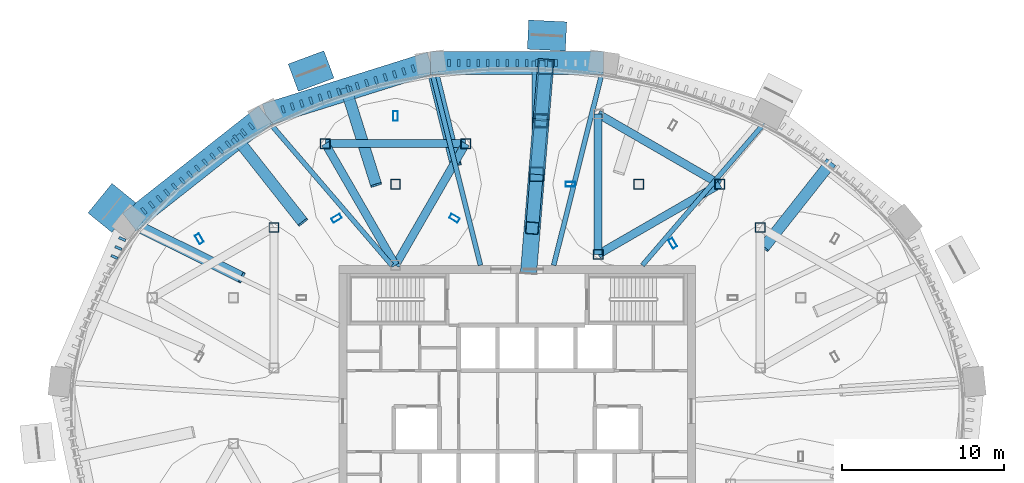
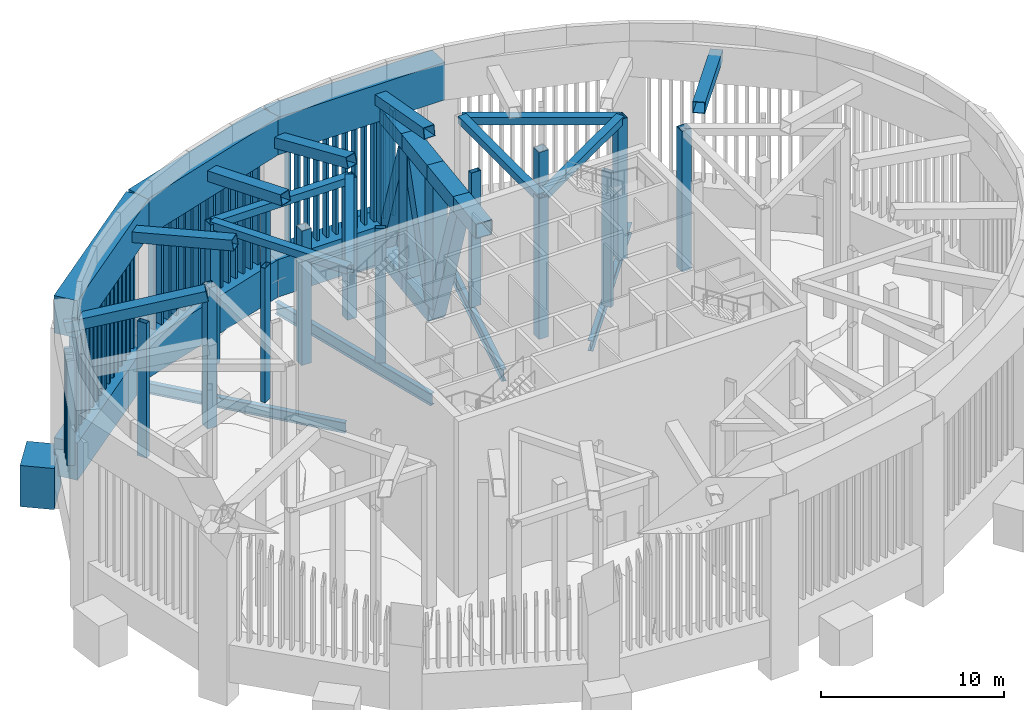
# One storey, part 4 of 14: 80 members, 16 beams.
"""IFC4 building model written with IfcOpenShell, lengths in metres."""

from ifc_helpers import new_model, si_unit, direction, frame, origin, origin_2d, place, context, subcontext, project, spatial, rectangle, hollow_rectangle, i_section, extrude, source, transform, mapped, material, material_profile, profile_set, type_object, element, save


model = new_model("IFC4")

# Units and contexts
model_context = context("Model", 3, precision=1e-05, world=origin(), true_north=direction((0.0, 1.0)))
body_context = subcontext(model_context, "Body", "Model", "MODEL_VIEW")
ifc_project = project(units=[si_unit("LENGTHUNIT", "METRE"), si_unit("AREAUNIT", "SQUARE_METRE"), si_unit("VOLUMEUNIT", "CUBIC_METRE"), si_unit("PLANEANGLEUNIT", "RADIAN"), si_unit("MASSUNIT", "GRAM", prefix="KILO")], contexts=[model_context])

# Site, building, storey
site_placement = place(None, origin())
site = spatial("IfcSite", under=ifc_project, at=site_placement, CompositionType="ELEMENT")
building_placement = place(site_placement, origin())
building = spatial("IfcBuilding", under=site, at=building_placement, Name="Embergate Tower", CompositionType="ELEMENT")
storey_placement = place(building_placement, frame((0.0, 0.0, 340.0)))
storey = spatial("IfcBuildingStorey", under=building, at=storey_placement, Name="L79", CompositionType="ELEMENT", Elevation=340.0)

# Beams
ifc_material_1 = material(Name="Steel Q355B", Category="steel")
ifc_material_profile_1 = material_profile(ifc_material_1, i_section(OverallWidth=0.300048828125, OverallDepth=0.699951171875, WebThickness=0.012939453125, FlangeThickness=0.02392578125, FilletRadius=0.01806640625, at=origin_2d()), Name="HN 700x300x13x24")
ifc_profile_set_1 = profile_set([ifc_material_profile_1], Name="Steel Q355 grade B")
beam_type_1 = type_object("IfcBeamType", Name="Plant girder HN 700x300x13x24", PredefinedType="BEAM", material=ifc_profile_set_1)
shared_shape_1 = source(origin(), body_context, "Body", "SweptSolid", [
    extrude(i_section(OverallWidth=0.300048828125, OverallDepth=0.699951171875, WebThickness=0.012939453125, FlangeThickness=0.02392578125, FilletRadius=0.01806640625, at=origin_2d()), origin(), (0.0, 0.0, 1.0), 11.52734375),
])
for number, where, z_axis, x_axis, name in (
    (1, (15.238037109375, 17.7451171875, -0.64990234375), (-0.651500974238, -0.758647797445, 0.0), (0.758647797445, -0.651500974238, 0.0), "GIR-L79-06"),
    (2, (-15.238037109375, 17.7451171875, -0.64990234375), (0.651500974238, -0.758647797445, 0.0), (0.758647797445, 0.651500974238, 0.0), "GIR-L79-15"),
):
    element("IfcBeam", number, at=place(storey_placement, frame(where, z_axis=z_axis, x_axis=x_axis)), inside=storey, type_object=beam_type_1, Name=name, PredefinedType="BEAM", context=body_context, shape_type="MappedRepresentation", body=[
        mapped(shared_shape_1, transform((0.0, 0.0, 0.0))),
    ])
ifc_material_profile_2 = material_profile(ifc_material_1, i_section(OverallWidth=0.300048828125, OverallDepth=0.800048828125, WebThickness=0.013916015625, FlangeThickness=0.02587890625, FilletRadius=0.028076171875, at=origin_2d()), Name="HN 800x300x14x26")
ifc_profile_set_2 = profile_set([ifc_material_profile_2], Name="Steel Q355 grade B")
beam_type_2 = type_object("IfcBeamType", Name="Plant girder HN 800x300x14x26", PredefinedType="BEAM", material=ifc_profile_set_2)
shared_shape_2 = source(origin(), body_context, "Body", "SweptSolid", [
    extrude(i_section(OverallWidth=0.300048828125, OverallDepth=0.800048828125, WebThickness=0.013916015625, FlangeThickness=0.02587890625, FilletRadius=0.028076171875, at=origin_2d()), origin(), (0.0, 0.0, 1.0), 12.248291015625),
])
for number, where, z_axis, x_axis, name in (
    (3, (5.240966796875, 20.8798828125, -0.699951171875), (-0.243454753133, -0.969912255401, 0.0), (0.969912255401, -0.243454753133, 0.0), "GIR-L79-09"),
    (4, (-5.240966796875, 20.8798828125, -0.699951171875), (0.243454753133, -0.969912255401, 0.0), (0.969912255401, 0.243454753133, 0.0), "GIR-L79-12"),
):
    element("IfcBeam", number, at=place(storey_placement, frame(where, z_axis=z_axis, x_axis=x_axis)), inside=storey, type_object=beam_type_2, Name=name, PredefinedType="BEAM", context=body_context, shape_type="MappedRepresentation", body=[
        mapped(shared_shape_2, transform((0.0, 0.0, 0.0))),
    ])

# Members
ifc_material_2 = material(Name="Steel Q355D", Category="steel")
ifc_material_profile_3 = material_profile(ifc_material_2, hollow_rectangle(XDim=1.0, YDim=1.0, WallThickness=0.050048828125, at=origin_2d()), Name="BOX 1000x1000x50")
ifc_profile_set_3 = profile_set([ifc_material_profile_3], Name="Steel Q355 grade D")
member_type_1 = type_object("IfcMemberType", Name="Outrigger chord BOX 1000x1000x50", PredefinedType="CHORD", material=ifc_profile_set_3)
shared_shape_3 = source(origin(), body_context, "Body", "SweptSolid", [
    extrude(hollow_rectangle(XDim=1.0, YDim=1.0, WallThickness=0.050048828125, at=origin_2d()), origin(), (0.0, 0.0, 1.0), 2.89990234375),
])
member_1_placement = place(storey_placement, frame((0.701904296875, 8.501953125, 9.89990234375), z_axis=(0.082418420379, 0.996597814558, 0.0), x_axis=(-0.996597814558, 0.082418420379, 0.0)))
element("IfcMember", 5, at=member_1_placement, inside=storey, type_object=member_type_1, Name="OUT-L79-10-TC00", PredefinedType="CHORD", context=body_context, shape_type="MappedRepresentation", body=[
    mapped(shared_shape_3, transform((0.0, 0.0, 0.0))),
])
shared_shape_4 = source(origin(), body_context, "Body", "SweptSolid", [
    extrude(hollow_rectangle(XDim=1.0, YDim=1.0, WallThickness=0.050048828125, at=origin_2d()), origin(), (0.0, 0.0, 1.0), 3.421630859375),
])
for number, where, z_axis, x_axis, name in (
    (6, (0.931884765625, 11.2919921875, 9.89990234375), (0.082484481675, 0.996592349099, 0.0), (-0.996592349099, 0.082484481675, 0.0), "OUT-L79-10-TC01"),
    (7, (1.2060546875, 14.60205078125, 9.89990234375), (0.082413613158, 0.996598212103, 0.0), (-0.996598212103, 0.082413613158, 0.0), "OUT-L79-10-TC02"),
    (8, (1.2060546875, 14.60205078125, 0.5), (0.082413613158, 0.996598212103, 0.0), (-0.996598212103, 0.082413613158, 0.0), "OUT-L79-10-BC01"),
):
    element("IfcMember", number, at=place(storey_placement, frame(where, z_axis=z_axis, x_axis=x_axis)), inside=storey, type_object=member_type_1, Name=name, PredefinedType="CHORD", context=body_context, shape_type="MappedRepresentation", body=[
        mapped(shared_shape_4, transform((0.0, 0.0, 0.0))),
    ])
shared_shape_5 = source(origin(), body_context, "Body", "SweptSolid", [
    extrude(hollow_rectangle(XDim=1.0, YDim=1.0, WallThickness=0.050048828125, at=origin_2d()), origin(), (0.0, 0.0, 1.0), 3.82080078125),
])
for number, where, z_axis, x_axis, name in (
    (9, (1.47900390625, 17.9130859375, 9.89990234375), (0.082426767344, 0.996597124231, 0.0), (-0.996597124231, 0.082426767344, 0.0), "OUT-L79-10-TC03"),
    (10, (1.47900390625, 17.9130859375, 0.5), (0.082426767344, 0.996597124231, 0.0), (-0.996597124231, 0.082426767344, 0.0), "OUT-L79-10-BC02"),
):
    element("IfcMember", number, at=place(storey_placement, frame(where, z_axis=z_axis, x_axis=x_axis)), inside=storey, type_object=member_type_1, Name=name, PredefinedType="CHORD", context=body_context, shape_type="MappedRepresentation", body=[
        mapped(shared_shape_5, transform((0.0, 0.0, 0.0))),
    ])
ifc_material_profile_4 = material_profile(ifc_material_2, hollow_rectangle(XDim=0.89990234375, YDim=0.89990234375, WallThickness=0.044921875, at=origin_2d()), Name="BOX 900x900x45")
ifc_profile_set_4 = profile_set([ifc_material_profile_4], Name="Steel Q355 grade D")
member_type_2 = type_object("IfcMemberType", Name="Outrigger post BOX 900x900x45", PredefinedType="POST", material=ifc_profile_set_4)
shared_shape_6 = source(origin(), body_context, "Body", "SweptSolid", [
    extrude(hollow_rectangle(XDim=0.89990234375, YDim=0.89990234375, WallThickness=0.044921875, at=origin_2d()), origin(), (0.0, 0.0, 1.0), 9.39990234375),
])
member_2_placement = place(storey_placement, frame((1.7529296875, 21.222900390625, 0.5), z_axis=(0.0, 0.0, 1.0), x_axis=(1.0, 0.0, 0.0)))
element("IfcMember", 11, at=member_2_placement, inside=storey, type_object=member_type_2, Name="OUT-L79-10-PO03", PredefinedType="POST", context=body_context, shape_type="MappedRepresentation", body=[
    mapped(shared_shape_6, transform((0.0, 0.0, 0.0))),
])
shared_shape_7 = source(origin(), body_context, "Body", "SweptSolid", [
    extrude(hollow_rectangle(XDim=0.89990234375, YDim=0.89990234375, WallThickness=0.044921875, at=origin_2d()), origin(), (0.0, 0.0, 1.0), 8.39990234375),
])
for number, where, z_axis, x_axis, name in (
    (12, (1.2060546875, 14.60205078125, 1.0), (0.0, 0.0, 1.0), (1.0, 0.0, 0.0), "OUT-L79-10-HG01"),
    (13, (1.47900390625, 17.9130859375, 1.0), (0.0, 0.0, 1.0), (1.0, 0.0, 0.0), "OUT-L79-10-HG02"),
):
    element("IfcMember", number, at=place(storey_placement, frame(where, z_axis=z_axis, x_axis=x_axis)), inside=storey, type_object=member_type_2, Name=name, PredefinedType="POST", context=body_context, shape_type="MappedRepresentation", body=[
        mapped(shared_shape_7, transform((0.0, 0.0, 0.0))),
    ])
ifc_material_profile_5 = material_profile(ifc_material_2, hollow_rectangle(XDim=0.800048828125, YDim=0.800048828125, WallThickness=0.0400390625, at=origin_2d()), Name="BOX 800x800x40")
ifc_profile_set_5 = profile_set([ifc_material_profile_5], Name="Steel Q355 grade D")
member_type_3 = type_object("IfcMemberType", Name="Outrigger diagonal BOX 800x800x40", PredefinedType="BRACE", material=ifc_profile_set_5)
shared_shape_8 = source(origin(), body_context, "Body", "SweptSolid", [
    extrude(hollow_rectangle(XDim=0.800048828125, YDim=0.800048828125, WallThickness=0.0400390625, at=origin_2d()), origin(), (0.0, 0.0, 1.0), 9.969482421875),
])
member_3_placement = place(storey_placement, frame((0.931884765625, 11.2919921875, 9.89990234375), z_axis=(0.027501023288, 0.332020368419, -0.942871236529), x_axis=(-0.996587202014, 0.082546646103, 0.0)))
element("IfcMember", 14, at=member_3_placement, inside=storey, type_object=member_type_3, Name="OUT-L79-10-DG00", PredefinedType="BRACE", context=body_context, shape_type="MappedRepresentation", body=[
    mapped(shared_shape_8, transform((0.0, 0.0, 0.0))),
])
shared_shape_9 = source(origin(), body_context, "Body", "SweptSolid", [
    extrude(hollow_rectangle(XDim=0.800048828125, YDim=0.800048828125, WallThickness=0.0400390625, at=origin_2d()), origin(), (0.0, 0.0, 1.0), 9.9697265625),
])
member_4_placement = place(storey_placement, frame((1.2060546875, 14.60205078125, 0.5), z_axis=(0.02737778029, 0.332108637112, 0.942843735887), x_axis=(-0.996619355646, 0.082157531309, 0.0)))
element("IfcMember", 15, at=member_4_placement, inside=storey, type_object=member_type_3, Name="OUT-L79-10-DG01", PredefinedType="BRACE", context=body_context, shape_type="MappedRepresentation", body=[
    mapped(shared_shape_9, transform((0.0, 0.0, 0.0))),
])
shared_shape_10 = source(origin(), body_context, "Body", "SweptSolid", [
    extrude(hollow_rectangle(XDim=0.800048828125, YDim=0.800048828125, WallThickness=0.0400390625, at=origin_2d()), origin(), (0.0, 0.0, 1.0), 9.96923828125),
])
member_5_placement = place(storey_placement, frame((1.47900390625, 17.9130859375, 9.89990234375), z_axis=(0.027476776296, 0.331998802353, -0.942879537375), x_axis=(-0.996592746264, 0.082479682917, 0.0)))
element("IfcMember", 16, at=member_5_placement, inside=storey, type_object=member_type_3, Name="OUT-L79-10-DG02", PredefinedType="BRACE", context=body_context, shape_type="MappedRepresentation", body=[
    mapped(shared_shape_10, transform((0.0, 0.0, 0.0))),
])
ifc_material_3 = material(Name="Concrete C70", Category="concrete")
ifc_material_profile_6 = material_profile(ifc_material_3, rectangle(XDim=1.89990234375, YDim=2.35009765625, at=origin_2d()), Name="RC 1900x2350")
ifc_profile_set_6 = profile_set([ifc_material_profile_6], Name="Concrete C70")
member_type_4 = type_object("IfcMemberType", Name="Lattice node block RC 1900x2350", PredefinedType="POST", material=ifc_profile_set_6)
shared_shape_11 = source(origin(), body_context, "Body", "SweptSolid", [
    extrude(rectangle(XDim=1.89990234375, YDim=2.35009765625, at=origin_2d()), origin(), (0.0, 0.0, 1.0), 2.75),
])
member_6_placement = place(storey_placement, frame((-24.990966796875, 12.5380859375, -1.375), z_axis=(0.0, 0.0, 1.0), x_axis=(-0.775914301615, 0.630838328377, 0.0)))
element("IfcMember", 17, at=member_6_placement, inside=storey, type_object=member_type_4, Name="NOD-L79-18", PredefinedType="POST", context=body_context, shape_type="MappedRepresentation", body=[
    mapped(shared_shape_11, transform((0.0, 0.0, 0.0))),
])
ifc_material_profile_7 = material_profile(ifc_material_3, rectangle(XDim=1.800048828125, YDim=2.35009765625, at=origin_2d()), Name="RC 1800x2350")
ifc_profile_set_7 = profile_set([ifc_material_profile_7], Name="Concrete C70")
member_type_5 = type_object("IfcMemberType", Name="Lattice node block RC 1800x2350", PredefinedType="POST", material=ifc_profile_set_7)
shared_shape_12 = source(origin(), body_context, "Body", "SweptSolid", [
    extrude(rectangle(XDim=1.800048828125, YDim=2.35009765625, at=origin_2d()), origin(), (0.0, 0.0, 1.0), 2.75),
])
for number, where, z_axis, x_axis, name in (
    (18, (1.847900390625, 23.1708984375, -1.375), (0.0, 0.0, 1.0), (0.048814904854, 0.998807841912, 0.0), "NOD-L79-10"),
    (19, (-12.705078125, 20.97607421875, -1.375), (0.0, 0.0, 1.0), (-0.348343015724, 0.93736713373, 0.0), "NOD-L79-14"),
):
    element("IfcMember", number, at=place(storey_placement, frame(where, z_axis=z_axis, x_axis=x_axis)), inside=storey, type_object=member_type_5, Name=name, PredefinedType="POST", context=body_context, shape_type="MappedRepresentation", body=[
        mapped(shared_shape_12, transform((0.0, 0.0, 0.0))),
    ])
ifc_material_profile_8 = material_profile(ifc_material_2, hollow_rectangle(XDim=0.699951171875, YDim=0.699951171875, WallThickness=0.031982421875, at=origin_2d()), Name="BOX 700x700x32")
ifc_profile_set_8 = profile_set([ifc_material_profile_8], Name="Steel Q355 grade D")
member_type_6 = type_object("IfcMemberType", Name="Glass point bearing strut BOX 700x700x32", PredefinedType="STRUT", material=ifc_profile_set_8)
shared_shape_13 = source(origin(), body_context, "Body", "SweptSolid", [
    extrude(hollow_rectangle(XDim=0.699951171875, YDim=0.699951171875, WallThickness=0.031982421875, at=origin_2d()), origin(), (0.0, 0.0, 1.0), 6.757568359375),
])
member_7_placement = place(storey_placement, frame((19.342041015625, 15.318115234375, 10.89990234375), z_axis=(-0.611188324933, -0.774562067638, 0.16279568435), x_axis=(0.78503458432, -0.619451936328, 0.0)))
element("IfcMember", 20, at=member_7_placement, inside=storey, type_object=member_type_6, Name="CRN-L79-BS02", PredefinedType="STRUT", context=body_context, shape_type="MappedRepresentation", body=[
    mapped(shared_shape_13, transform((0.0, 0.0, 0.0))),
])
shared_shape_14 = source(origin(), body_context, "Body", "SweptSolid", [
    extrude(hollow_rectangle(XDim=0.699951171875, YDim=0.699951171875, WallThickness=0.031982421875, at=origin_2d()), origin(), (0.0, 0.0, 1.0), 6.1689453125),
])
member_8_placement = place(storey_placement, frame((1.26611328125, 21.52294921875, 10.89990234375), z_axis=(0.0, -0.983971066141, 0.178328183406), x_axis=(1.0, 0.0, 0.0)))
element("IfcMember", 21, at=member_8_placement, inside=storey, type_object=member_type_6, Name="CRN-L79-BS05", PredefinedType="STRUT", context=body_context, shape_type="MappedRepresentation", body=[
    mapped(shared_shape_14, transform((0.0, 0.0, 0.0))),
])
shared_shape_15 = source(origin(), body_context, "Body", "SweptSolid", [
    extrude(hollow_rectangle(XDim=0.699951171875, YDim=0.699951171875, WallThickness=0.031982421875, at=origin_2d()), origin(), (0.0, 0.0, 1.0), 6.736572265625),
])
member_9_placement = place(storey_placement, frame((-5.3369140625, 21.52294921875, 10.25), z_axis=(0.230062191278, -0.937862222101, 0.259780369736), x_axis=(0.971205928925, 0.238241565686, 0.0)))
element("IfcMember", 22, at=member_9_placement, inside=storey, type_object=member_type_6, Name="CRN-L79-BS06", PredefinedType="STRUT", context=body_context, shape_type="MappedRepresentation", body=[
    mapped(shared_shape_15, transform((0.0, 0.0, 0.0))),
])
shared_shape_16 = source(origin(), body_context, "Body", "SweptSolid", [
    extrude(hollow_rectangle(XDim=0.699951171875, YDim=0.699951171875, WallThickness=0.031982421875, at=origin_2d()), origin(), (0.0, 0.0, 1.0), 6.31494140625),
])
member_10_placement = place(storey_placement, frame((-10.553955078125, 19.885986328125, 10.89990234375), z_axis=(0.294863111747, -0.939525808533, 0.174203904751), x_axis=(0.954114600858, 0.299441694541, 0.0)))
element("IfcMember", 23, at=member_10_placement, inside=storey, type_object=member_type_6, Name="CRN-L79-BS07", PredefinedType="STRUT", context=body_context, shape_type="MappedRepresentation", body=[
    mapped(shared_shape_16, transform((0.0, 0.0, 0.0))),
])
shared_shape_17 = source(origin(), body_context, "Body", "SweptSolid", [
    extrude(hollow_rectangle(XDim=0.699951171875, YDim=0.699951171875, WallThickness=0.031982421875, at=origin_2d()), origin(), (0.0, 0.0, 1.0), 6.77001953125),
])
member_11_placement = place(storey_placement, frame((-17.344970703125, 16.89306640625, 10.89990234375), z_axis=(0.611211261556, -0.77460722746, 0.162494421179), x_axis=(0.785040842334, 0.619444005434, 0.0)))
element("IfcMember", 24, at=member_11_placement, inside=storey, type_object=member_type_6, Name="CRN-L79-BS08", PredefinedType="STRUT", context=body_context, shape_type="MappedRepresentation", body=[
    mapped(shared_shape_17, transform((0.0, 0.0, 0.0))),
])
shared_shape_18 = source(origin(), body_context, "Body", "SweptSolid", [
    extrude(hollow_rectangle(XDim=0.699951171875, YDim=0.699951171875, WallThickness=0.031982421875, at=origin_2d()), origin(), (0.0, 0.0, 1.0), 7.97265625),
])
member_12_placement = place(storey_placement, frame((-23.944091796875, 11.68603515625, 10.25), z_axis=(0.874637881808, -0.432235617314, 0.219501587312), x_axis=(0.443040423908, 0.896501635683, 0.0)))
element("IfcMember", 25, at=member_12_placement, inside=storey, type_object=member_type_6, Name="CRN-L79-BS09", PredefinedType="STRUT", context=body_context, shape_type="MappedRepresentation", body=[
    mapped(shared_shape_18, transform((0.0, 0.0, 0.0))),
])
ifc_material_profile_9 = material_profile(ifc_material_2, hollow_rectangle(XDim=0.60009765625, YDim=0.60009765625, WallThickness=0.028076171875, at=origin_2d()), Name="BOX 600x600x28")
ifc_profile_set_9 = profile_set([ifc_material_profile_9], Name="Steel Q355 grade D")
member_type_7 = type_object("IfcMemberType", Name="Turbine frame post BOX 600x600x28", PredefinedType="POST", material=ifc_profile_set_9)
shared_shape_19 = source(origin(), body_context, "Body", "SweptSolid", [
    extrude(hollow_rectangle(XDim=0.60009765625, YDim=0.60009765625, WallThickness=0.028076171875, at=origin_2d()), origin(), (0.0, 0.0, 1.0), 9.39990234375),
])
for number, where, z_axis, x_axis, name in (
    (26, (15.0, 11.330078125, 0.60009765625), (0.0, 0.0, 1.0), (1.0, 0.0, 0.0), "TUR-L79-PS011"),
    (27, (-15.0, 11.330078125, 0.60009765625), (0.0, 0.0, 1.0), (1.0, 0.0, 0.0), "TUR-L79-PS033"),
    (28, (5.0, 9.669921875, 0.60009765625), (0.0, 0.0, 1.0), (1.0, 0.0, 0.0), "TUR-L79-PS051"),
    (29, (12.5, 14.0, 0.60009765625), (0.0, 0.0, 1.0), (1.0, 0.0, 0.0), "TUR-L79-PS052"),
    (30, (-3.169921875, 16.5, 0.60009765625), (0.0, 0.0, 1.0), (1.0, 0.0, 0.0), "TUR-L79-PS062"),
    (31, (-11.830078125, 16.5, 0.60009765625), (0.0, 0.0, 1.0), (1.0, 0.0, 0.0), "TUR-L79-PS063"),
):
    element("IfcMember", number, at=place(storey_placement, frame(where, z_axis=z_axis, x_axis=x_axis)), inside=storey, type_object=member_type_7, Name=name, PredefinedType="POST", context=body_context, shape_type="MappedRepresentation", body=[
        mapped(shared_shape_19, transform((0.0, 0.0, 0.0))),
    ])

# Beams
ifc_material_profile_10 = material_profile(ifc_material_2, hollow_rectangle(XDim=0.5, YDim=0.5, WallThickness=0.02490234375, at=origin_2d()), Name="BOX 500x500x25")
ifc_profile_set_10 = profile_set([ifc_material_profile_10], Name="Steel Q355 grade D")
beam_type_3 = type_object("IfcBeamType", Name="Turbine frame head beam BOX 500x500x25", PredefinedType="BEAM", material=ifc_profile_set_10)
shared_shape_20 = source(origin(), body_context, "Body", "SweptSolid", [
    extrude(hollow_rectangle(XDim=0.5, YDim=0.5, WallThickness=0.02490234375, at=origin_2d()), origin(), (0.0, 0.0, 1.0), 8.66015625),
])
for number, where, z_axis, x_axis, name in (
    (32, (5.0, 9.669921875, 9.85009765625), (0.866027848477, 0.499995765644, 0.0), (-0.499995765644, 0.866027848477, 0.0), "TUR-L79-HB051"),
    (33, (12.5, 14.0, 9.85009765625), (-0.866027848477, 0.499995765644, 0.0), (-0.499995765644, -0.866027848477, 0.0), "TUR-L79-HB052"),
    (34, (5.0, 18.330078125, 9.85009765625), (0.0, -1.0, 0.0), (1.0, 0.0, 0.0), "TUR-L79-HB053"),
    (35, (-7.5, 9.0, 9.85009765625), (0.499995765644, 0.866027848477, 0.0), (-0.866027848477, 0.499995765644, 0.0), "TUR-L79-HB061"),
    (36, (-3.169921875, 16.5, 9.85009765625), (-1.0, 0.0, 0.0), (0.0, -1.0, 0.0), "TUR-L79-HB062"),
    (37, (-11.830078125, 16.5, 9.85009765625), (0.499995765644, -0.866027848477, 0.0), (0.866027848477, 0.499995765644, 0.0), "TUR-L79-HB063"),
):
    element("IfcBeam", number, at=place(storey_placement, frame(where, z_axis=z_axis, x_axis=x_axis)), inside=storey, type_object=beam_type_3, Name=name, PredefinedType="BEAM", context=body_context, shape_type="MappedRepresentation", body=[
        mapped(shared_shape_20, transform((0.0, 0.0, 0.0))),
    ])

# Members
ifc_material_profile_11 = material_profile(ifc_material_2, hollow_rectangle(XDim=0.60009765625, YDim=0.60009765625, WallThickness=0.028076171875, at=origin_2d()), Name="BOX 600x600x28")
ifc_profile_set_11 = profile_set([ifc_material_profile_11], Name="Steel Q355 grade D")
member_type_8 = type_object("IfcMemberType", Name="Turbine rotor shaft BOX 600x600x28", PredefinedType="POST", material=ifc_profile_set_11)
shared_shape_21 = source(origin(), body_context, "Body", "SweptSolid", [
    extrude(hollow_rectangle(XDim=0.60009765625, YDim=0.60009765625, WallThickness=0.028076171875, at=origin_2d()), origin(), (0.0, 0.0, 1.0), 9.0),
])
for number, where, z_axis, x_axis, name in (
    (38, (7.5, 14.0, 0.60009765625), (0.0, 0.0, 1.0), (1.0, 0.0, 0.0), "TUR-L79-SH05"),
    (39, (-7.5, 14.0, 0.60009765625), (0.0, 0.0, 1.0), (1.0, 0.0, 0.0), "TUR-L79-SH06"),
):
    element("IfcMember", number, at=place(storey_placement, frame(where, z_axis=z_axis, x_axis=x_axis)), inside=storey, type_object=member_type_8, Name=name, PredefinedType="POST", context=body_context, shape_type="MappedRepresentation", body=[
        mapped(shared_shape_21, transform((0.0, 0.0, 0.0))),
    ])
ifc_material_profile_12 = material_profile(ifc_material_2, hollow_rectangle(XDim=0.300048828125, YDim=0.60009765625, WallThickness=0.01611328125, at=origin_2d()), Name="BOX 600x300x16")
ifc_profile_set_12 = profile_set([ifc_material_profile_12], Name="Steel Q355 grade D")
member_type_9 = type_object("IfcMemberType", Name="Turbine rotor blade BOX 600x300x16", PredefinedType="POST", material=ifc_profile_set_12)
shared_shape_22 = source(origin(), body_context, "Body", "SweptSolid", [
    extrude(hollow_rectangle(XDim=0.300048828125, YDim=0.60009765625, WallThickness=0.01611328125, at=origin_2d()), origin(), (0.0, 0.0, 1.0), 9.0),
])
for number, where, z_axis, x_axis, name in (
    (40, (-19.60009765625, 10.636962890625, 0.60009765625), (0.0, 0.0, 1.0), (-0.866025403784, -0.5, 0.0), "TUR-L79-BL031"),
    (41, (3.300048828125, 14.0, 0.60009765625), (0.0, 0.0, 1.0), (0.0, -1.0, 0.0), "TUR-L79-BL051"),
    (42, (9.60009765625, 10.363037109375, 0.60009765625), (0.0, 0.0, 1.0), (0.866025403784, 0.5, 0.0), "TUR-L79-BL052"),
    (43, (-11.136962890625, 11.89990234375, 0.60009765625), (0.0, 0.0, 1.0), (0.5, -0.866025403784, 0.0), "TUR-L79-BL061"),
    (44, (-3.863037109375, 11.89990234375, 0.60009765625), (0.0, 0.0, 1.0), (0.5, 0.866025403784, 0.0), "TUR-L79-BL062"),
    (45, (-7.5, 18.199951171875, 0.60009765625), (0.0, 0.0, 1.0), (-1.0, 0.0, 0.0), "TUR-L79-BL063"),
):
    element("IfcMember", number, at=place(storey_placement, frame(where, z_axis=z_axis, x_axis=x_axis)), inside=storey, type_object=member_type_9, Name=name, PredefinedType="POST", context=body_context, shape_type="MappedRepresentation", body=[
        mapped(shared_shape_22, transform((0.0, 0.0, 0.0))),
    ])

# Beams
ifc_material_4 = material(Name="Concrete C50", Category="concrete")
ifc_material_profile_13 = material_profile(ifc_material_4, rectangle(XDim=1.39990234375, YDim=2.5, at=origin_2d()), Name="RC 1400x2500")
ifc_profile_set_13 = profile_set([ifc_material_profile_13], Name="Concrete C50")
beam_type_4 = type_object("IfcBeamType", Name="Slot ring beam RC 1400x2500", PredefinedType="BEAM", material=ifc_profile_set_13)
shared_shape_23 = source(origin(), body_context, "Body", "SweptSolid", [
    extrude(rectangle(XDim=1.39990234375, YDim=2.5, at=origin_2d()), origin(), (0.0, 0.0, 1.0), 10.693603515625),
])
for number, where, z_axis, x_axis, name in (
    (46, (-15.510009765625, 18.279052734375, 1.25), (-0.785047537714, -0.619435520074, 0.0), (0.619435520074, -0.785047537714, 0.0), "RNG-L79-LO15"),
    (47, (-15.510009765625, 18.279052734375, 10.75), (-0.785047537714, -0.619435520074, 0.0), (0.619435520074, -0.785047537714, 0.0), "RNG-L79-UP15"),
):
    element("IfcBeam", number, at=place(storey_placement, frame(where, z_axis=z_axis, x_axis=x_axis)), inside=storey, type_object=beam_type_4, Name=name, PredefinedType="BEAM", context=body_context, shape_type="MappedRepresentation", body=[
        mapped(shared_shape_23, transform((0.0, 0.0, 0.0))),
    ])
shared_shape_24 = source(origin(), body_context, "Body", "SweptSolid", [
    extrude(rectangle(XDim=1.39990234375, YDim=2.5, at=origin_2d()), origin(), (0.0, 0.0, 1.0), 10.669677734375),
])
for number, where, z_axis, x_axis, name in (
    (48, (-5.330078125, 21.47412109375, 1.25), (-0.954109959019, -0.299456484488, 0.0), (0.299456484488, -0.954109959019, 0.0), "RNG-L79-LO12"),
    (49, (-5.330078125, 21.47412109375, 10.75), (-0.954109959019, -0.299456484488, 0.0), (0.299456484488, -0.954109959019, 0.0), "RNG-L79-UP12"),
):
    element("IfcBeam", number, at=place(storey_placement, frame(where, z_axis=z_axis, x_axis=x_axis)), inside=storey, type_object=beam_type_4, Name=name, PredefinedType="BEAM", context=body_context, shape_type="MappedRepresentation", body=[
        mapped(shared_shape_24, transform((0.0, 0.0, 0.0))),
    ])
shared_shape_25 = source(origin(), body_context, "Body", "SweptSolid", [
    extrude(rectangle(XDim=1.39990234375, YDim=2.5, at=origin_2d()), origin(), (0.0, 0.0, 1.0), 10.66015625),
])
for number, where, z_axis, x_axis, name in (
    (50, (5.330078125, 21.47412109375, 1.25), (-1.0, 0.0, 0.0), (0.0, -1.0, 0.0), "RNG-L79-LO09"),
    (51, (5.330078125, 21.47412109375, 10.75), (-1.0, 0.0, 0.0), (0.0, -1.0, 0.0), "RNG-L79-UP09"),
):
    element("IfcBeam", number, at=place(storey_placement, frame(where, z_axis=z_axis, x_axis=x_axis)), inside=storey, type_object=beam_type_4, Name=name, PredefinedType="BEAM", context=body_context, shape_type="MappedRepresentation", body=[
        mapped(shared_shape_25, transform((0.0, 0.0, 0.0))),
    ])

# Members
ifc_material_5 = material(Name="Terracotta, extruded and glazed", Category="masonry")
ifc_material_profile_14 = material_profile(ifc_material_5, rectangle(XDim=0.449951171875, YDim=0.159912109375, at=origin_2d()), Name="TC 450x160")
ifc_profile_set_14 = profile_set([ifc_material_profile_14], Name="Terracotta, extruded and glazed")
member_type_10 = type_object("IfcMemberType", Name="Terracotta slot fin", PredefinedType="USERDEFINED", material=ifc_profile_set_14)
shared_shape_26 = source(origin(), body_context, "Body", "SweptSolid", [
    extrude(rectangle(XDim=0.449951171875, YDim=0.159912109375, at=origin_2d()), origin(), (0.0, 0.0, 1.0), 7.00390625),
])
for number, where, z_axis, x_axis, name in (
    (52, (2.39990234375, 21.47412109375, 2.498046875), (0.0, 0.0, 1.0), (0.0, -1.0, 0.0), "Slot fin 10.4"),
    (53, (1.800048828125, 21.47412109375, 2.498046875), (0.0, 0.0, 1.0), (0.0, -1.0, 0.0), "Slot fin 10.5"),
    (54, (1.199951171875, 21.47412109375, 2.498046875), (0.0, 0.0, 1.0), (0.0, -1.0, 0.0), "Slot fin 10.6"),
    (55, (0.60009765625, 21.47412109375, 2.498046875), (0.0, 0.0, 1.0), (0.0, -1.0, 0.0), "Slot fin 10.7"),
    (56, (0.0, 21.47412109375, 2.498046875), (0.0, 0.0, 1.0), (0.0, -1.0, 0.0), "Slot fin 10.8"),
    (57, (-0.60009765625, 21.47412109375, 2.498046875), (0.0, 0.0, 1.0), (0.0, -1.0, 0.0), "Slot fin 10.9"),
    (58, (-1.199951171875, 21.47412109375, 2.498046875), (0.0, 0.0, 1.0), (0.0, -1.0, 0.0), "Slot fin 10.10"),
    (59, (-1.800048828125, 21.47412109375, 2.498046875), (0.0, 0.0, 1.0), (0.0, -1.0, 0.0), "Slot fin 10.11"),
    (60, (-2.39990234375, 21.47412109375, 2.498046875), (0.0, 0.0, 1.0), (0.0, -1.0, 0.0), "Slot fin 10.12"),
    (61, (-3.0, 21.47412109375, 2.498046875), (0.0, 0.0, 1.0), (0.0, -1.0, 0.0), "Slot fin 10.13"),
    (62, (-3.60009765625, 21.47412109375, 2.498046875), (0.0, 0.0, 1.0), (0.0, -1.0, 0.0), "Slot fin 10.14"),
    (63, (-4.199951171875, 21.47412109375, 2.498046875), (0.0, 0.0, 1.0), (0.0, -1.0, 0.0), "Slot fin 10.15"),
    (64, (-6.408203125, 21.135498046875, 2.498046875), (0.0, 0.0, 1.0), (0.299448803476, -0.954112369743, 0.0), "Slot fin 13.1"),
    (65, (-6.981201171875, 20.955810546875, 2.498046875), (0.0, 0.0, 1.0), (0.299448803476, -0.954112369743, 0.0), "Slot fin 13.2"),
    (66, (-7.554443359375, 20.77587890625, 2.498046875), (0.0, 0.0, 1.0), (0.299448803476, -0.954112369743, 0.0), "Slot fin 13.3"),
    (67, (-8.12744140625, 20.595947265625, 2.498046875), (0.0, 0.0, 1.0), (0.299448803476, -0.954112369743, 0.0), "Slot fin 13.4"),
    (68, (-8.70068359375, 20.416015625, 2.498046875), (0.0, 0.0, 1.0), (0.299448803476, -0.954112369743, 0.0), "Slot fin 13.5"),
    (69, (-9.273681640625, 20.236083984375, 2.498046875), (0.0, 0.0, 1.0), (0.299448803476, -0.954112369743, 0.0), "Slot fin 13.6"),
    (70, (-9.846923828125, 20.056396484375, 2.498046875), (0.0, 0.0, 1.0), (0.299448803476, -0.954112369743, 0.0), "Slot fin 13.7"),
    (71, (-10.419921875, 19.87646484375, 2.498046875), (0.0, 0.0, 1.0), (0.299448803476, -0.954112369743, 0.0), "Slot fin 13.8"),
    (72, (-10.9931640625, 19.696533203125, 2.498046875), (0.0, 0.0, 1.0), (0.299448803476, -0.954112369743, 0.0), "Slot fin 13.9"),
    (73, (-11.566162109375, 19.516845703125, 2.498046875), (0.0, 0.0, 1.0), (0.299448803476, -0.954112369743, 0.0), "Slot fin 13.10"),
    (74, (-12.139404296875, 19.3369140625, 2.498046875), (0.0, 0.0, 1.0), (0.299448803476, -0.954112369743, 0.0), "Slot fin 13.11"),
    (75, (-12.71240234375, 19.156982421875, 2.498046875), (0.0, 0.0, 1.0), (0.299448803476, -0.954112369743, 0.0), "Slot fin 13.12"),
    (76, (-13.28564453125, 18.97705078125, 2.498046875), (0.0, 0.0, 1.0), (0.299448803476, -0.954112369743, 0.0), "Slot fin 13.13"),
    (77, (-13.858642578125, 18.79736328125, 2.498046875), (0.0, 0.0, 1.0), (0.299448803476, -0.954112369743, 0.0), "Slot fin 13.14"),
    (78, (-14.431884765625, 18.617431640625, 2.498046875), (0.0, 0.0, 1.0), (0.299448803476, -0.954112369743, 0.0), "Slot fin 13.15"),
    (79, (-16.397216796875, 17.5791015625, 2.498046875), (0.0, 0.0, 1.0), (0.619435179353, -0.785047806557, 0.0), "Slot fin 16.1"),
    (80, (-16.8701171875, 17.205810546875, 2.498046875), (0.0, 0.0, 1.0), (0.619435179353, -0.785047806557, 0.0), "Slot fin 16.2"),
    (81, (-17.343017578125, 16.832763671875, 2.498046875), (0.0, 0.0, 1.0), (0.619435179353, -0.785047806557, 0.0), "Slot fin 16.3"),
    (82, (-17.81591796875, 16.459716796875, 2.498046875), (0.0, 0.0, 1.0), (0.619435179353, -0.785047806557, 0.0), "Slot fin 16.4"),
    (83, (-18.288818359375, 16.08642578125, 2.498046875), (0.0, 0.0, 1.0), (0.619435179353, -0.785047806557, 0.0), "Slot fin 16.5"),
    (84, (-18.76171875, 15.71337890625, 2.498046875), (0.0, 0.0, 1.0), (0.619435179353, -0.785047806557, 0.0), "Slot fin 16.6"),
    (85, (-19.234619140625, 15.340087890625, 2.498046875), (0.0, 0.0, 1.0), (0.619435179353, -0.785047806557, 0.0), "Slot fin 16.7"),
    (86, (-19.70751953125, 14.967041015625, 2.498046875), (0.0, 0.0, 1.0), (0.619435179353, -0.785047806557, 0.0), "Slot fin 16.8"),
    (87, (-20.180419921875, 14.593994140625, 2.498046875), (0.0, 0.0, 1.0), (0.619435179353, -0.785047806557, 0.0), "Slot fin 16.9"),
    (88, (-20.6533203125, 14.220703125, 2.498046875), (0.0, 0.0, 1.0), (0.619435179353, -0.785047806557, 0.0), "Slot fin 16.10"),
    (89, (-21.126220703125, 13.84765625, 2.498046875), (0.0, 0.0, 1.0), (0.619435179353, -0.785047806557, 0.0), "Slot fin 16.11"),
    (90, (-21.59912109375, 13.474365234375, 2.498046875), (0.0, 0.0, 1.0), (0.619435179353, -0.785047806557, 0.0), "Slot fin 16.12"),
    (91, (-22.072021484375, 13.101318359375, 2.498046875), (0.0, 0.0, 1.0), (0.619435179353, -0.785047806557, 0.0), "Slot fin 16.13"),
    (92, (-22.544921875, 12.72802734375, 2.498046875), (0.0, 0.0, 1.0), (0.619435179353, -0.785047806557, 0.0), "Slot fin 16.14"),
    (93, (-23.017822265625, 12.35498046875, 2.498046875), (0.0, 0.0, 1.0), (0.619435179353, -0.785047806557, 0.0), "Slot fin 16.15"),
    (94, (-24.3525390625, 10.617431640625, 2.498046875), (0.0, 0.0, 1.0), (0.918249515944, -0.396002306141, 0.0), "Slot fin 19.1"),
    (95, (-24.591796875, 10.062744140625, 2.498046875), (0.0, 0.0, 1.0), (0.918249515944, -0.396002306141, 0.0), "Slot fin 19.2"),
    (96, (-24.830810546875, 9.508056640625, 2.498046875), (0.0, 0.0, 1.0), (0.918249515944, -0.396002306141, 0.0), "Slot fin 19.3"),
):
    element("IfcMember", number, at=place(storey_placement, frame(where, z_axis=z_axis, x_axis=x_axis)), inside=storey, type_object=member_type_10, Name=name, ObjectType="FIN", PredefinedType="USERDEFINED", context=body_context, shape_type="MappedRepresentation", body=[
        mapped(shared_shape_26, transform((0.0, 0.0, 0.0))),
    ])

save(model, "model.ifc")
